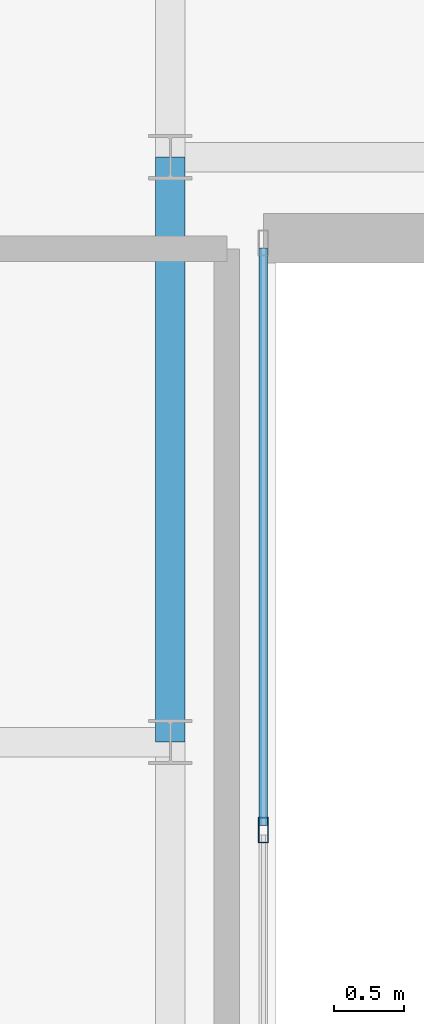
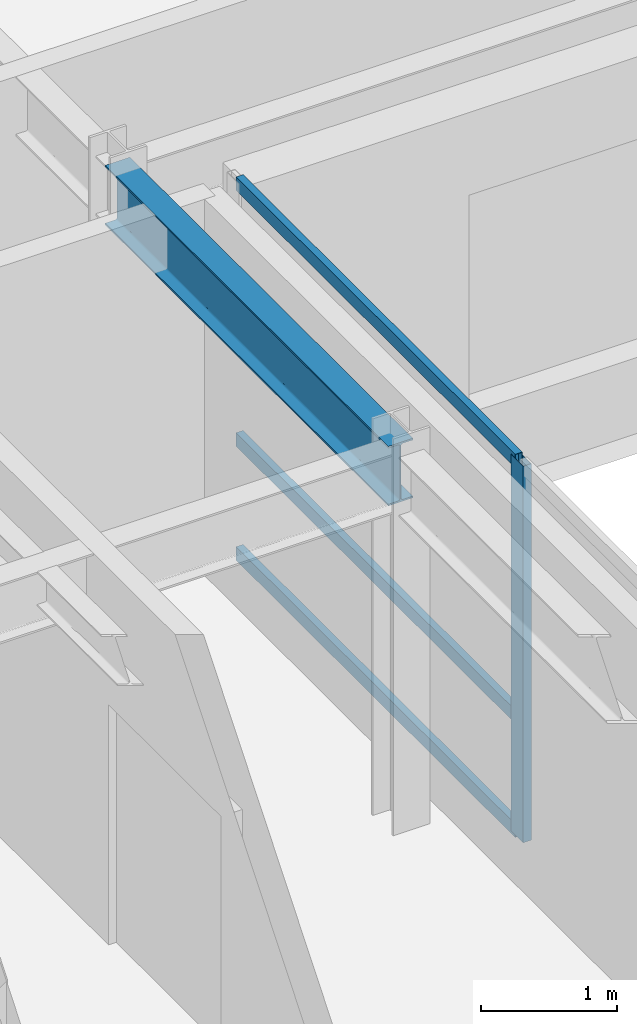
# One storey, part 6 of 18: 4 members, 1 beam, 1 element without a shape of its own.
"""IFC4 building model written with IfcOpenShell, lengths in metres."""

from ifc_helpers import new_model, si_unit, direction, frame, origin, origin_2d, place, context, subcontext, project, spatial, hollow_rectangle, i_section, extrude, source, transform, mapped, material, layer, layer_set, material_profile, profile_set, type_object, type_shapes, element, aggregate, save


model = new_model("IFC4")

# Units and contexts
model_context = context("Model", 3, precision=1e-05, world=origin(), true_north=direction((0.0, 1.0)))
body_context = subcontext(model_context, "Body", "Model", "MODEL_VIEW")
ifc_project = project(units=[si_unit("LENGTHUNIT", "METRE"), si_unit("AREAUNIT", "SQUARE_METRE"), si_unit("VOLUMEUNIT", "CUBIC_METRE"), si_unit("PLANEANGLEUNIT", "RADIAN"), si_unit("MASSUNIT", "GRAM", prefix="KILO")], contexts=[model_context])

# Site, building, storey
site_placement = place(None, origin())
site = spatial("IfcSite", under=ifc_project, at=site_placement, CompositionType="ELEMENT")
building_placement = place(site_placement, origin())
building = spatial("IfcBuilding", under=site, at=building_placement, Name="Tolvann Quenvar Hotel", CompositionType="ELEMENT")
storey_placement = place(building_placement, frame((0.0, 0.0, 245.199951171875)))
storey = spatial("IfcBuildingStorey", under=building, at=storey_placement, Name="L65", CompositionType="ELEMENT", Elevation=245.199951171875)

# Beam
ifc_material_1 = material(Name="Steel Grade 350", Category="steel")
ifc_material_profile_1 = material_profile(ifc_material_1, i_section(OverallWidth=0.208984375, OverallDepth=0.532958984375, WebThickness=0.01025390625, FlangeThickness=0.015625, FilletRadius=0.013916015625, at=origin_2d()), Name="530UB92")
ifc_profile_set_1 = profile_set([ifc_material_profile_1], Name="Steel Grade 350")
beam_type = type_object("IfcBeamType", Name="BM_GIRD_530UB92", PredefinedType="BEAM", material=ifc_profile_set_1)
shared_shape_1 = source(origin(), body_context, "Body", "SweptSolid", [
    extrude(i_section(OverallWidth=0.208984375, OverallDepth=0.532958984375, WebThickness=0.01025390625, FlangeThickness=0.015625, FilletRadius=0.013916015625, at=origin_2d()), origin(), (0.0, 0.0, 1.0), 4.14990234375),
])
type_shapes(beam_type, [shared_shape_1])
beam_placement = place(storey_placement, frame((14.449951171875, 16.0, 3.103515625), z_axis=(0.0, 1.0, 0.0), x_axis=(-1.0, 0.0, 0.0)))
element("IfcBeam", 1, at=beam_placement, inside=storey, type_object=beam_type, Name="BM-L65-NS-D4-D4P", PredefinedType="BEAM", context=body_context, shape_type="MappedRepresentation", body=[
    mapped(shared_shape_1, transform((0.0, 0.0, 0.0), x_axis=(1.0, 0.0, 0.0), y_axis=(0.0, 1.0, 0.0), z_axis=(0.0, 0.0, 1.0), scale=1.0)),
])

# Curtain wall, members
ifc_material_2 = material(Name="Thermally broken anodised architectural aluminium 6063-T6 and laminated low-E glass", Category="aluminium")
ifc_layer = layer(ifc_material_2, 0.179931640625)
ifc_layer_set = layer_set([ifc_layer], Name="Thermally broken anodised architectural aluminium 6063-T6 and laminated low-E glass")
curtain_wall_type = type_object("IfcCurtainWallType", Name="CW_SYS_PORTAL_05", PredefinedType="USERDEFINED", material=ifc_layer_set)
curtain_wall_placement = place(storey_placement, origin())
curtain_wall = element("IfcCurtainWall", 2, at=curtain_wall_placement, inside=storey, type_object=curtain_wall_type, Name="Curtain Wall CW-PORTAL-05 (CWR-L65-E05)", ObjectType="UNITISED CURTAIN WALL", PredefinedType="USERDEFINED")
ifc_material_3 = material(Name="Anodised architectural aluminium 6063-T6 framing", Category="aluminium")
ifc_material_profile_2 = material_profile(ifc_material_3, hollow_rectangle(XDim=0.070068359375, YDim=0.179931640625, WallThickness=0.00390625, at=origin_2d()), Name="180x70x4RHS")
ifc_profile_set_2 = profile_set([ifc_material_profile_2], Name="Anodised architectural aluminium 6063-T6 framing")
member_type_1 = type_object("IfcMemberType", Name="CW_MULL_180x70", PredefinedType="MULLION", material=ifc_profile_set_2)
shared_shape_2 = source(origin(), body_context, "Body", "SweptSolid", [
    extrude(hollow_rectangle(XDim=0.070068359375, YDim=0.179931640625, WallThickness=0.00390625, at=origin_2d()), origin(), (0.0, 0.0, 1.0), 3.3701171875),
])
type_shapes(member_type_1, [shared_shape_2])
member_1_placement = place(storey_placement, frame((15.110107421875, 15.375, 0.0), z_axis=(0.0, 0.0, 1.0), x_axis=(-1.0, 0.0, 0.0)))
member_1 = element("IfcMember", 3, at=member_1_placement, type_object=member_type_1, Name="CW-PORTAL-05 mullion 4", PredefinedType="MULLION", context=body_context, shape_type="MappedRepresentation", body=[
    mapped(shared_shape_2, transform((0.0, 0.0, 0.0), x_axis=(1.0, 0.0, 0.0), y_axis=(0.0, 1.0, 0.0), z_axis=(0.0, 0.0, 1.0), scale=1.0)),
])
ifc_material_profile_3 = material_profile(ifc_material_3, hollow_rectangle(XDim=0.06005859375, YDim=0.1201171875, WallThickness=0.00341796875, at=origin_2d()), Name="120x60x3.5RHS")
ifc_profile_set_3 = profile_set([ifc_material_profile_3], Name="Anodised architectural aluminium 6063-T6 framing")
member_type_2 = type_object("IfcMemberType", Name="CW_TRAN_120x60", PredefinedType="USERDEFINED", material=ifc_profile_set_3)
shared_shape_3 = source(origin(), body_context, "Body", "SweptSolid", [
    extrude(hollow_rectangle(XDim=0.06005859375, YDim=0.1201171875, WallThickness=0.00341796875, at=origin_2d()), origin(), (0.0, 0.0, 1.0), 4.094970703125),
])
type_shapes(member_type_2, [shared_shape_3])
member_2_placement = place(storey_placement, frame((15.110107421875, 15.409912109375, 0.030029296875), z_axis=(0.0, 1.0, 0.0), x_axis=(-1.0, 0.0, 0.0)))
member_2 = element("IfcMember", 4, at=member_2_placement, type_object=member_type_2, Name="CW-PORTAL-05 transom 4.1", ObjectType="TRANSOM", PredefinedType="USERDEFINED", context=body_context, shape_type="MappedRepresentation", body=[
    mapped(shared_shape_3, transform((0.0, 0.0, 0.0), x_axis=(1.0, 0.0, 0.0), y_axis=(0.0, 1.0, 0.0), z_axis=(0.0, 0.0, 1.0), scale=1.0)),
])
member_3_placement = place(storey_placement, frame((15.110107421875, 15.409912109375, 1.050048828125), z_axis=(0.0, 1.0, 0.0), x_axis=(-1.0, 0.0, 0.0)))
member_3 = element("IfcMember", 5, at=member_3_placement, type_object=member_type_2, Name="CW-PORTAL-05 transom 4.2", ObjectType="TRANSOM", PredefinedType="USERDEFINED", context=body_context, shape_type="MappedRepresentation", body=[
    mapped(shared_shape_3, transform((0.0, 0.0, 0.0), x_axis=(1.0, 0.0, 0.0), y_axis=(0.0, 1.0, 0.0), z_axis=(0.0, 0.0, 1.0), scale=1.0)),
])
member_4_placement = place(storey_placement, frame((15.110107421875, 15.409912109375, 3.340087890625), z_axis=(0.0, 1.0, 0.0), x_axis=(-1.0, 0.0, 0.0)))
member_4 = element("IfcMember", 6, at=member_4_placement, type_object=member_type_2, Name="CW-PORTAL-05 transom 4.3", ObjectType="TRANSOM", PredefinedType="USERDEFINED", context=body_context, shape_type="MappedRepresentation", body=[
    mapped(shared_shape_3, transform((0.0, 0.0, 0.0), x_axis=(1.0, 0.0, 0.0), y_axis=(0.0, 1.0, 0.0), z_axis=(0.0, 0.0, 1.0), scale=1.0)),
])
aggregate(curtain_wall, [member_1, member_2, member_3, member_4])

save(model, "model.ifc")
